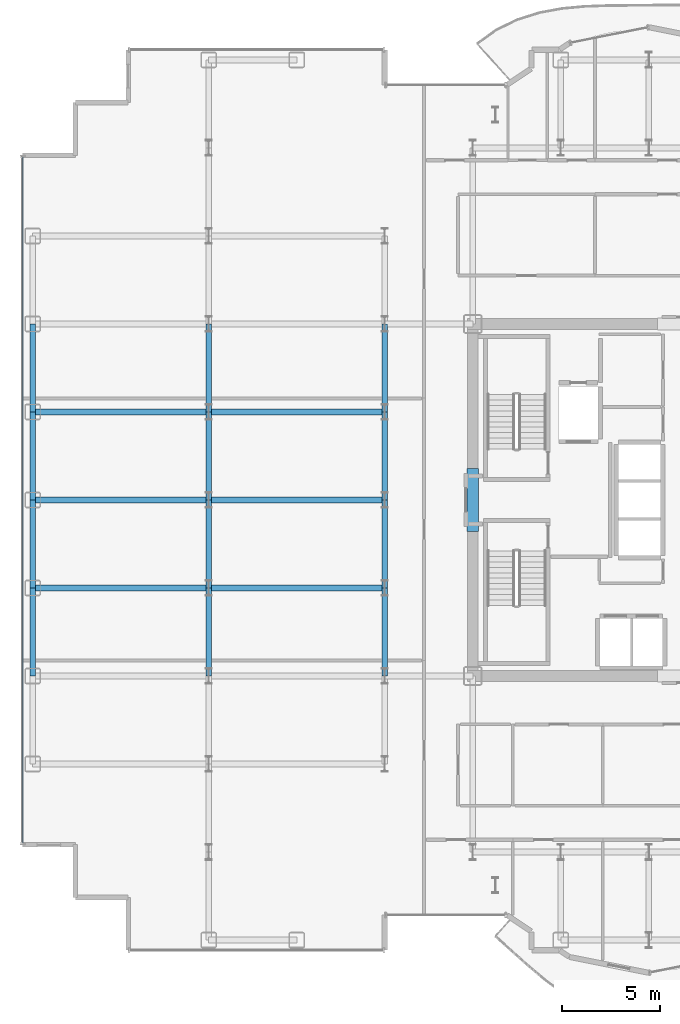
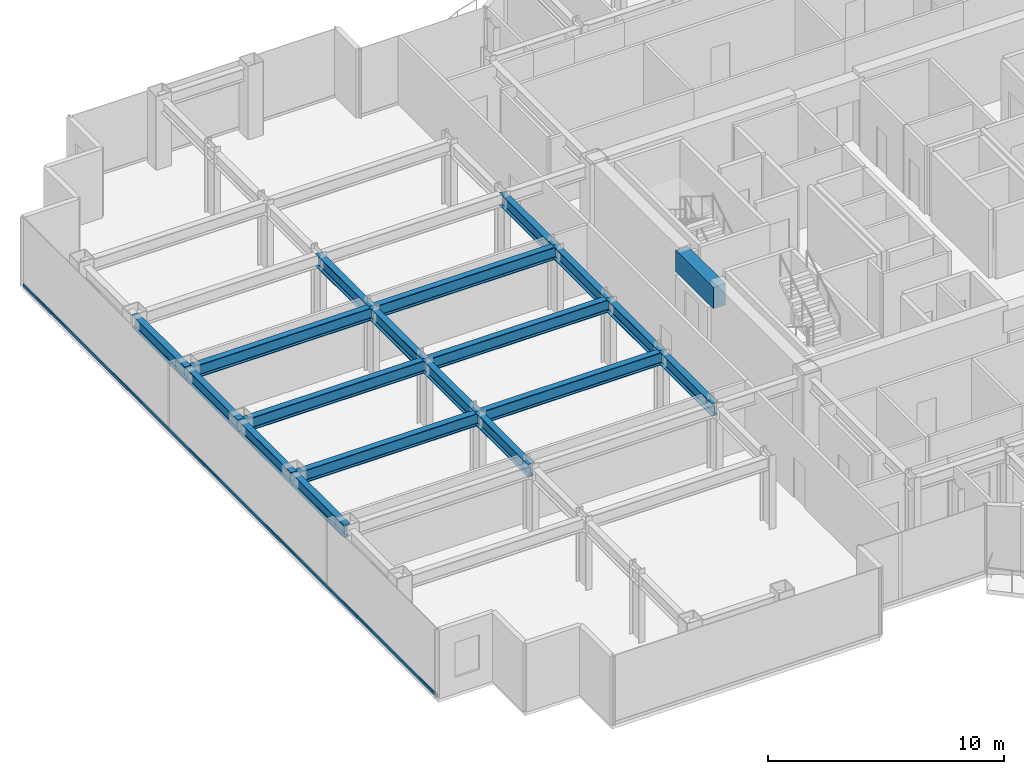
# One storey, part 6 of 23: 19 beams, 1 member, 1 element without a shape of its own.
"""IFC4 building model written with IfcOpenShell, lengths in metres."""

from ifc_helpers import new_model, si_unit, direction, frame, origin, origin_2d, place, context, subcontext, project, spatial, rectangle, hollow_rectangle, i_section, extrude, source, transform, mapped, material, layer, layer_set, material_profile, profile_set, type_object, element, aggregate, save


model = new_model("IFC4")

# Units and contexts
model_context = context("Model", 3, precision=1e-05, world=origin(), true_north=direction((0.0, 1.0)))
body_context = subcontext(model_context, "Body", "Model", "MODEL_VIEW")
ifc_project = project(units=[si_unit("LENGTHUNIT", "METRE"), si_unit("AREAUNIT", "SQUARE_METRE"), si_unit("VOLUMEUNIT", "CUBIC_METRE"), si_unit("PLANEANGLEUNIT", "RADIAN"), si_unit("MASSUNIT", "GRAM", prefix="KILO")], contexts=[model_context])

# Site, building, storey
site_placement = place(None, origin())
site = spatial("IfcSite", under=ifc_project, at=site_placement, CompositionType="ELEMENT")
building_placement = place(site_placement, origin())
building = spatial("IfcBuilding", under=site, at=building_placement, Name="Nefas-Gora Pilgrimage Tower", CompositionType="ELEMENT")
storey_placement = place(building_placement, frame((0.0, 0.0, 156.39990234375)))
storey = spatial("IfcBuildingStorey", under=building, at=storey_placement, Name="L38", CompositionType="ELEMENT", Elevation=156.39990234375)

# Beams
ifc_material_1 = material(Name="Concrete C60/75", Category="concrete")
ifc_material_profile_1 = material_profile(ifc_material_1, rectangle(XDim=0.60009765625, YDim=1.10009765625, at=origin_2d()), Name="RC 600x1100")
ifc_profile_set_1 = profile_set([ifc_material_profile_1], Name="Concrete C60/75")
beam_type_1 = type_object("IfcBeamType", Name="BM-LIN-RC1100", PredefinedType="LINTEL", material=ifc_profile_set_1)
shared_shape_1 = source(origin(), body_context, "Body", "SweptSolid", [
    extrude(rectangle(XDim=0.60009765625, YDim=1.10009765625, at=origin_2d()), origin(), (0.0, 0.0, 1.0), 3.2001953125),
])
beam_placement = place(storey_placement, frame((-11.25, -1.60009765625, 3.0), z_axis=(0.0, 1.0, 0.0), x_axis=(-1.0, 0.0, 0.0)))
element("IfcBeam", 1, at=beam_placement, inside=storey, type_object=beam_type_1, Name="L38 Core Coupling Lintel Beam W", PredefinedType="LINTEL", context=body_context, shape_type="MappedRepresentation", body=[
    mapped(shared_shape_1, transform((0.0, 0.0, 0.0), x_axis=(1.0, 0.0, 0.0), y_axis=(0.0, 1.0, 0.0), z_axis=(0.0, 0.0, 1.0), scale=1.0)),
])
ifc_material_2 = material(Name="Steel S355", Category="steel")
ifc_material_profile_2 = material_profile(ifc_material_2, i_section(OverallWidth=0.300048828125, OverallDepth=0.64990234375, WebThickness=0.01611328125, FlangeThickness=0.031005859375, FilletRadius=0.027099609375, at=origin_2d()), Name="HEB 650")
ifc_profile_set_2 = profile_set([ifc_material_profile_2], Name="Steel S355")
beam_type_2 = type_object("IfcBeamType", Name="BM-SPN-HEB500", PredefinedType="SPANDREL", material=ifc_profile_set_2)
shared_shape_2 = source(origin(), body_context, "Body", "SweptSolid", [
    extrude(i_section(OverallWidth=0.300048828125, OverallDepth=0.64990234375, WebThickness=0.01611328125, FlangeThickness=0.031005859375, FilletRadius=0.027099609375, at=origin_2d()), origin(), (0.0, 0.0, 1.0), 4.5),
])
for number, where, z_axis, x_axis, name in (
    (2, (-33.75, -9.0, 3.22509765625), (0.0, 1.0, 0.0), (-1.0, 0.0, 0.0), "L38 SP-02 beam"),
    (3, (-33.75, -4.5, 3.22509765625), (0.0, 1.0, 0.0), (-1.0, 0.0, 0.0), "L38 SP-02 beam"),
    (4, (-33.75, 0.0, 3.22509765625), (0.0, 1.0, 0.0), (-1.0, 0.0, 0.0), "L38 SP-02 beam"),
    (5, (-33.75, 4.5, 3.22509765625), (0.0, 1.0, 0.0), (-1.0, 0.0, 0.0), "L38 SP-02 beam"),
):
    element("IfcBeam", number, at=place(storey_placement, frame(where, z_axis=z_axis, x_axis=x_axis)), inside=storey, type_object=beam_type_2, Name=name, PredefinedType="SPANDREL", context=body_context, shape_type="MappedRepresentation", body=[
        mapped(shared_shape_2, transform((0.0, 0.0, 0.0), x_axis=(1.0, 0.0, 0.0), y_axis=(0.0, 1.0, 0.0), z_axis=(0.0, 0.0, 1.0), scale=1.0)),
    ])
ifc_material_profile_3 = material_profile(ifc_material_2, i_section(OverallWidth=0.300048828125, OverallDepth=0.64990234375, WebThickness=0.01611328125, FlangeThickness=0.031005859375, FilletRadius=0.027099609375, at=origin_2d()), Name="HEB 650")
ifc_profile_set_3 = profile_set([ifc_material_profile_3], Name="Steel S355")
beam_type_3 = type_object("IfcBeamType", Name="BM-GIR-HEB650", PredefinedType="BEAM", material=ifc_profile_set_3)
shared_shape_3 = source(origin(), body_context, "Body", "SweptSolid", [
    extrude(i_section(OverallWidth=0.300048828125, OverallDepth=0.64990234375, WebThickness=0.01611328125, FlangeThickness=0.031005859375, FilletRadius=0.027099609375, at=origin_2d()), origin(), (0.0, 0.0, 1.0), 9.0),
])
for number, where, z_axis, x_axis, name in (
    (6, (-33.75, -4.5, 3.22509765625), (1.0, 0.0, 0.0), (0.0, 1.0, 0.0), "L38 G-03 beam"),
    (7, (-33.75, 0.0, 3.22509765625), (1.0, 0.0, 0.0), (0.0, 1.0, 0.0), "L38 G-03 beam"),
    (8, (-33.75, 4.5, 3.22509765625), (1.0, 0.0, 0.0), (0.0, 1.0, 0.0), "L38 G-03 beam"),
    (9, (-24.75, -4.5, 3.22509765625), (1.0, 0.0, 0.0), (0.0, 1.0, 0.0), "L38 G-03 beam"),
    (10, (-24.75, 0.0, 3.22509765625), (1.0, 0.0, 0.0), (0.0, 1.0, 0.0), "L38 G-03 beam"),
    (11, (-24.75, 4.5, 3.22509765625), (1.0, 0.0, 0.0), (0.0, 1.0, 0.0), "L38 G-03 beam"),
):
    element("IfcBeam", number, at=place(storey_placement, frame(where, z_axis=z_axis, x_axis=x_axis)), inside=storey, type_object=beam_type_3, Name=name, PredefinedType="BEAM", context=body_context, shape_type="MappedRepresentation", body=[
        mapped(shared_shape_3, transform((0.0, 0.0, 0.0), x_axis=(1.0, 0.0, 0.0), y_axis=(0.0, 1.0, 0.0), z_axis=(0.0, 0.0, 1.0), scale=1.0)),
    ])
shared_shape_4 = source(origin(), body_context, "Body", "SweptSolid", [
    extrude(i_section(OverallWidth=0.300048828125, OverallDepth=0.64990234375, WebThickness=0.01611328125, FlangeThickness=0.031005859375, FilletRadius=0.027099609375, at=origin_2d()), origin(), (0.0, 0.0, 1.0), 4.5),
])
for number, where, z_axis, x_axis, name in (
    (12, (-24.75, -9.0, 3.22509765625), (0.0, 1.0, 0.0), (-1.0, 0.0, 0.0), "L38 G-03 beam"),
    (13, (-24.75, -4.5, 3.22509765625), (0.0, 1.0, 0.0), (-1.0, 0.0, 0.0), "L38 G-03 beam"),
    (14, (-24.75, 0.0, 3.22509765625), (0.0, 1.0, 0.0), (-1.0, 0.0, 0.0), "L38 G-03 beam"),
    (15, (-24.75, 4.5, 3.22509765625), (0.0, 1.0, 0.0), (-1.0, 0.0, 0.0), "L38 G-03 beam"),
    (16, (-15.75, -9.0, 3.22509765625), (0.0, 1.0, 0.0), (-1.0, 0.0, 0.0), "L38 G-03 beam"),
    (17, (-15.75, -4.5, 3.22509765625), (0.0, 1.0, 0.0), (-1.0, 0.0, 0.0), "L38 G-03 beam"),
    (18, (-15.75, 0.0, 3.22509765625), (0.0, 1.0, 0.0), (-1.0, 0.0, 0.0), "L38 G-03 beam"),
    (19, (-15.75, 4.5, 3.22509765625), (0.0, 1.0, 0.0), (-1.0, 0.0, 0.0), "L38 G-03 beam"),
):
    element("IfcBeam", number, at=place(storey_placement, frame(where, z_axis=z_axis, x_axis=x_axis)), inside=storey, type_object=beam_type_3, Name=name, PredefinedType="BEAM", context=body_context, shape_type="MappedRepresentation", body=[
        mapped(shared_shape_4, transform((0.0, 0.0, 0.0), x_axis=(1.0, 0.0, 0.0), y_axis=(0.0, 1.0, 0.0), z_axis=(0.0, 0.0, 1.0), scale=1.0)),
    ])

# Curtain wall, member
ifc_material_3 = material(Name="Dark ceramic-fritted solar-control aluminium-glass curtain wall", Category="aluminium")
ifc_layer = layer(ifc_material_3, 0.219970703125)
ifc_layer_set = layer_set([ifc_layer], Name="Dark ceramic-fritted solar-control aluminium-glass curtain wall")
curtain_wall_type = type_object("IfcCurtainWallType", Name="CW-SYS-3", PredefinedType="NOTDEFINED", material=ifc_layer_set)
curtain_wall_placement = place(storey_placement, origin())
curtain_wall = element("IfcCurtainWall", 20, at=curtain_wall_placement, inside=storey, type_object=curtain_wall_type, Name="L38 Unitised Curtain Wall CW3", PredefinedType="NOTDEFINED")
ifc_material_4 = material(Name="Anodised architectural aluminium", Category="aluminium")
ifc_material_profile_4 = material_profile(ifc_material_4, hollow_rectangle(XDim=0.080078125, YDim=0.159912109375, WallThickness=0.00439453125, InnerFilletRadius=0.00439453125, OuterFilletRadius=0.009033203125, at=origin_2d()), Name="ALU TRANSOM 80x160")
ifc_profile_set_4 = profile_set([ifc_material_profile_4], Name="Anodised architectural aluminium")
member_type = type_object("IfcMemberType", Name="CWM-TRN-3", PredefinedType="USERDEFINED", material=ifc_profile_set_4)
shared_shape_5 = source(origin(), body_context, "Body", "SweptSolid", [
    extrude(hollow_rectangle(XDim=0.080078125, YDim=0.159912109375, WallThickness=0.00439453125, InnerFilletRadius=0.00439453125, OuterFilletRadius=0.009033203125, at=origin_2d()), origin(), (0.0, 0.0, 1.0), 35.06005859375),
])
member_placement = place(storey_placement, frame((-34.27001953125, 17.530029296875, 0.050048828125), z_axis=(0.0, -1.0, 0.0), x_axis=(1.0, 0.0, 0.0)))
member = element("IfcMember", 21, at=member_placement, type_object=member_type, Name="CW3 Spandrel Transom", ObjectType="TRANSOM", PredefinedType="USERDEFINED", context=body_context, shape_type="MappedRepresentation", body=[
    mapped(shared_shape_5, transform((0.0, 0.0, 0.0), x_axis=(1.0, 0.0, 0.0), y_axis=(0.0, 1.0, 0.0), z_axis=(0.0, 0.0, 1.0), scale=1.0)),
])
aggregate(curtain_wall, [member])

save(model, "model.ifc")
